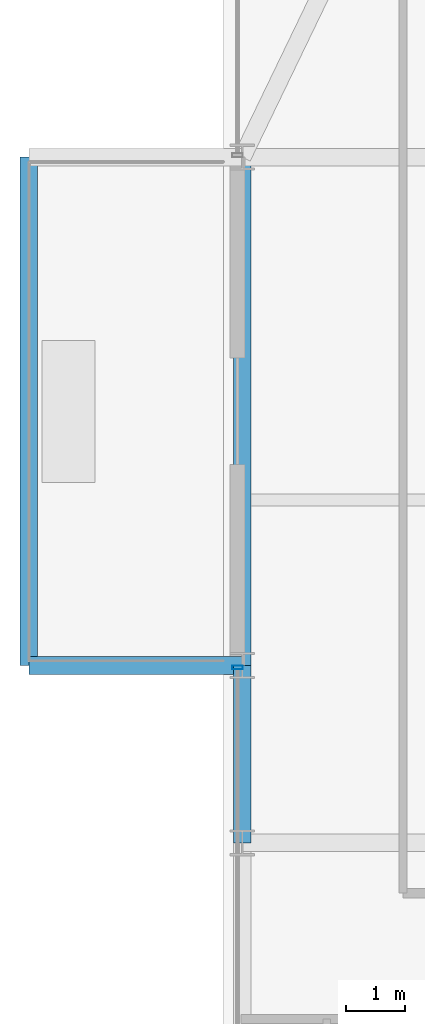
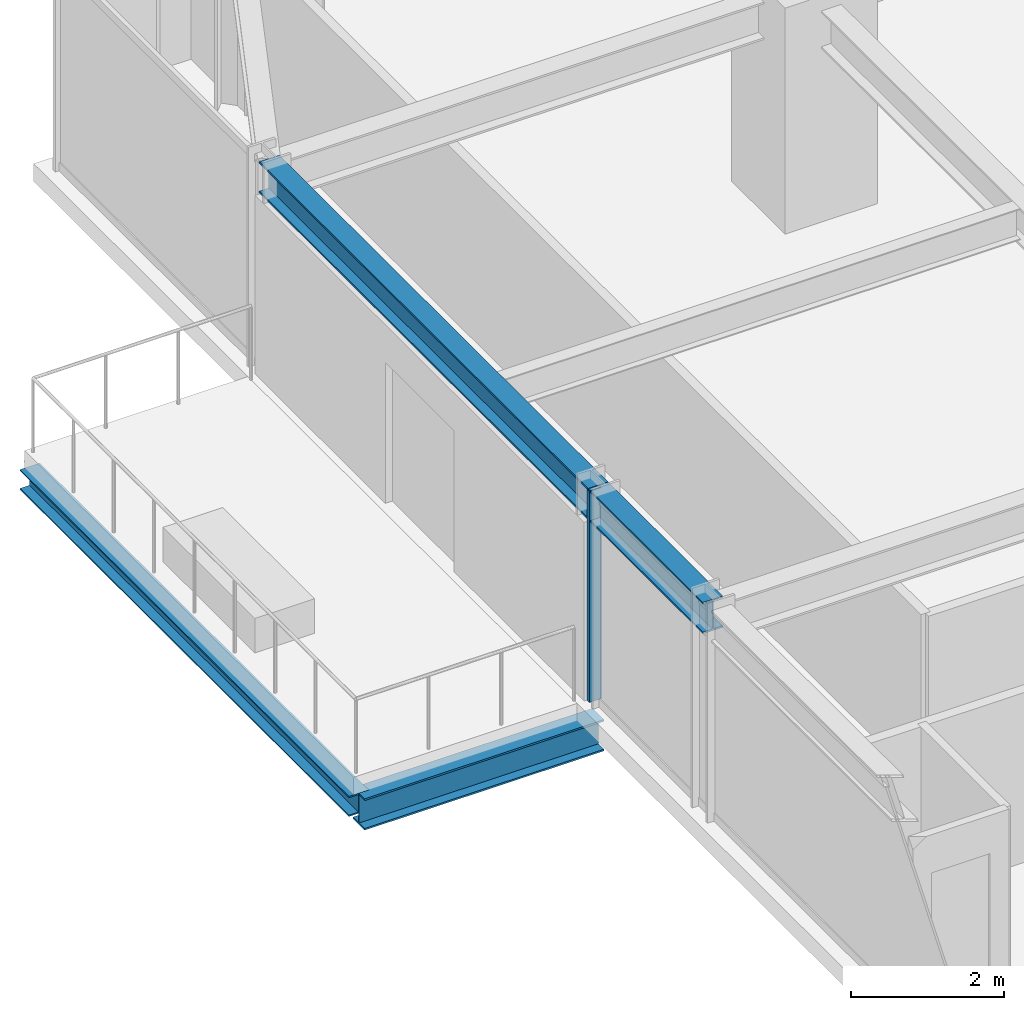
# One storey, part 18 of 36: 4 beams, 1 member, 1 element without a shape of its own.
"""IFC4 building model written with IfcOpenShell, lengths in metres."""

from ifc_helpers import new_model, si_unit, direction, frame, origin, origin_2d, place, context, subcontext, project, spatial, hollow_rectangle, i_section, extrude, source, transform, mapped, material, material_profile, profile_set, type_object, element, aggregate, save


model = new_model("IFC4")

# Units and contexts
model_context = context("Model", 3, precision=1e-05, world=origin(), true_north=direction((0.0, 1.0)))
body_context = subcontext(model_context, "Body", "Model", "MODEL_VIEW")
ifc_project = project(units=[si_unit("LENGTHUNIT", "METRE"), si_unit("AREAUNIT", "SQUARE_METRE"), si_unit("VOLUMEUNIT", "CUBIC_METRE"), si_unit("PLANEANGLEUNIT", "RADIAN"), si_unit("MASSUNIT", "GRAM", prefix="KILO")], contexts=[model_context])

# Site, building, storey
site_placement = place(None, origin())
site = spatial("IfcSite", under=ifc_project, at=site_placement, CompositionType="ELEMENT")
building_placement = place(site_placement, origin())
building = spatial("IfcBuilding", under=site, at=building_placement, Name="Nahalor Promenade Grand Hotel", CompositionType="ELEMENT")
storey_placement = place(building_placement, frame((0.0, 0.0, 76.199951171875)))
storey = spatial("IfcBuildingStorey", under=building, at=storey_placement, Name="L18", CompositionType="ELEMENT", Elevation=76.199951171875)

# Beams
ifc_material_1 = material(Name="Steel S355JR", Category="steel")
ifc_material_profile_1 = material_profile(ifc_material_1, i_section(OverallWidth=0.3, OverallDepth=0.32, WebThickness=0.0115, FlangeThickness=0.0205, at=origin_2d()), Name="HEB 320")
ifc_profile_set_1 = profile_set([ifc_material_profile_1], Name="Steel S355JR")
beam_type_1 = type_object("IfcBeamType", Name="Beam-BalcEdge-HEB320", PredefinedType="SPANDREL", material=ifc_profile_set_1)
shared_shape_1 = source(origin(), body_context, "Body", "SweptSolid", [
    extrude(i_section(OverallWidth=0.3, OverallDepth=0.32, WebThickness=0.0115, FlangeThickness=0.0205, at=origin_2d()), origin(), (0.0, 0.0, 1.0), 8.60009765625),
])
beam_1_placement = place(storey_placement, frame((-28.68994140625, 8.39990234375, -0.43994140625), z_axis=(0.0, 1.0, 0.0), x_axis=(-1.0, 0.0, 0.0)))
element("IfcBeam", 1, at=beam_1_placement, inside=storey, type_object=beam_type_1, Name="BM-L18-BC-02-F", PredefinedType="SPANDREL", context=body_context, shape_type="MappedRepresentation", body=[
    mapped(shared_shape_1, transform((0.0, 0.0, 0.0), scale=1.0)),
])
ifc_material_profile_2 = material_profile(ifc_material_1, i_section(OverallWidth=0.3, OverallDepth=0.5, WebThickness=0.0145, FlangeThickness=0.028, at=origin_2d()), Name="HEB 500")
ifc_profile_set_2 = profile_set([ifc_material_profile_2], Name="Steel S355JR")
beam_type_2 = type_object("IfcBeamType", Name="Beam-Outrigger-HEB500", PredefinedType="BEAM", material=ifc_profile_set_2)
shared_shape_2 = source(origin(), body_context, "Body", "SweptSolid", [
    extrude(i_section(OverallWidth=0.3, OverallDepth=0.5, WebThickness=0.0145, FlangeThickness=0.028, at=origin_2d()), origin(), (0.0, 0.0, 1.0), 3.60986328125),
])
beam_2_placement = place(storey_placement, frame((-28.68994140625, 8.39990234375, -0.530029296875), z_axis=(1.0, 0.0, 0.0), x_axis=(0.0, 1.0, 0.0)))
element("IfcBeam", 2, at=beam_2_placement, inside=storey, type_object=beam_type_2, Name="BM-L18-BC-02-1", PredefinedType="BEAM", context=body_context, shape_type="MappedRepresentation", body=[
    mapped(shared_shape_2, transform((0.0, 0.0, 0.0), scale=1.0)),
])
ifc_material_profile_3 = material_profile(ifc_material_1, i_section(OverallWidth=0.3, OverallDepth=0.5, WebThickness=0.0145, FlangeThickness=0.028, at=origin_2d()), Name="HEB 500")
ifc_profile_set_3 = profile_set([ifc_material_profile_3], Name="Steel S355JR")
beam_type_3 = type_object("IfcBeamType", Name="Beam-Spandrel-HEB500", PredefinedType="SPANDREL", material=ifc_profile_set_3)
shared_shape_3 = source(origin(), body_context, "Body", "SweptSolid", [
    extrude(i_section(OverallWidth=0.3, OverallDepth=0.5, WebThickness=0.0145, FlangeThickness=0.028, at=origin_2d()), origin(), (0.0, 0.0, 1.0), 8.60009765625),
])
beam_3_placement = place(storey_placement, frame((-25.080078125, 8.39990234375, 3.1201171875), z_axis=(0.0, 1.0, 0.0), x_axis=(-1.0, 0.0, 0.0)))
element("IfcBeam", 3, at=beam_3_placement, inside=storey, type_object=beam_type_3, Name="BM-L18-SP-W-4", PredefinedType="SPANDREL", context=body_context, shape_type="MappedRepresentation", body=[
    mapped(shared_shape_3, transform((0.0, 0.0, 0.0), scale=1.0)),
])
shared_shape_4 = source(origin(), body_context, "Body", "SweptSolid", [
    extrude(i_section(OverallWidth=0.3, OverallDepth=0.5, WebThickness=0.0145, FlangeThickness=0.028, at=origin_2d()), origin(), (0.0, 0.0, 1.0), 3.0),
])
beam_4_placement = place(storey_placement, frame((-25.080078125, 5.39990234375, 3.1201171875), z_axis=(0.0, 1.0, 0.0), x_axis=(-1.0, 0.0, 0.0)))
element("IfcBeam", 4, at=beam_4_placement, inside=storey, type_object=beam_type_3, Name="BM-L18-SP-W-3", PredefinedType="SPANDREL", context=body_context, shape_type="MappedRepresentation", body=[
    mapped(shared_shape_4, transform((0.0, 0.0, 0.0), scale=1.0)),
])

# Curtain wall, member
ifc_material_2 = material(Name="Anodised Bronze Aluminium EN AW-6063 T6", Category="aluminium")
curtain_wall_type = type_object("IfcCurtainWallType", Name="CW2 Typical Hotel Flush Bronze Unitised Curtain Wall", PredefinedType="USERDEFINED", material=ifc_material_2)
curtain_wall_placement = place(storey_placement, origin())
curtain_wall = element("IfcCurtainWall", 5, at=curtain_wall_placement, inside=storey, type_object=curtain_wall_type, Name="L18 Curtain Wall CW-L18-W-1", ObjectType="UNITISED_CURTAIN_WALL", PredefinedType="USERDEFINED")
ifc_material_profile_4 = material_profile(ifc_material_2, hollow_rectangle(XDim=0.065, YDim=0.18, WallThickness=0.004, at=origin_2d()), Name="CWM 65x180x4")
ifc_profile_set_4 = profile_set([ifc_material_profile_4], Name="Anodised Bronze Aluminium EN AW-6063 T6")
member_type = type_object("IfcMemberType", Name="CWM2 Typical Bronze Mullion 65x180", PredefinedType="MULLION", material=ifc_profile_set_4)
shared_shape_5 = source(origin(), body_context, "Body", "SweptSolid", [
    extrude(hollow_rectangle(XDim=0.065, YDim=0.18, WallThickness=0.004, at=origin_2d()), origin(), (0.0, 0.0, 1.0), 3.3701171875),
])
member_placement = place(storey_placement, frame((-25.159912109375, 8.367431640625, 0.0), z_axis=(0.0, 0.0, 1.0), x_axis=(0.0, 1.0, 0.0)))
member = element("IfcMember", 6, at=member_placement, type_object=member_type, Name="CW-L18-W-1 Mullion 3", PredefinedType="MULLION", context=body_context, shape_type="MappedRepresentation", body=[
    mapped(shared_shape_5, transform((0.0, 0.0, 0.0), scale=1.0)),
])
aggregate(curtain_wall, [member])

save(model, "model.ifc")
